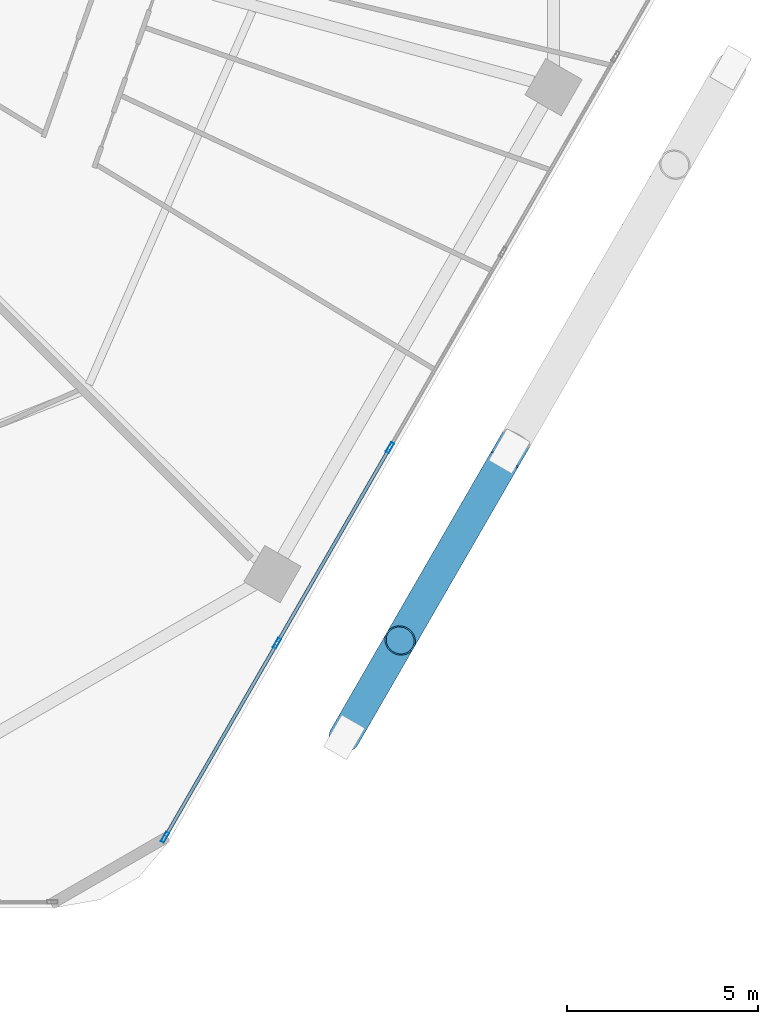
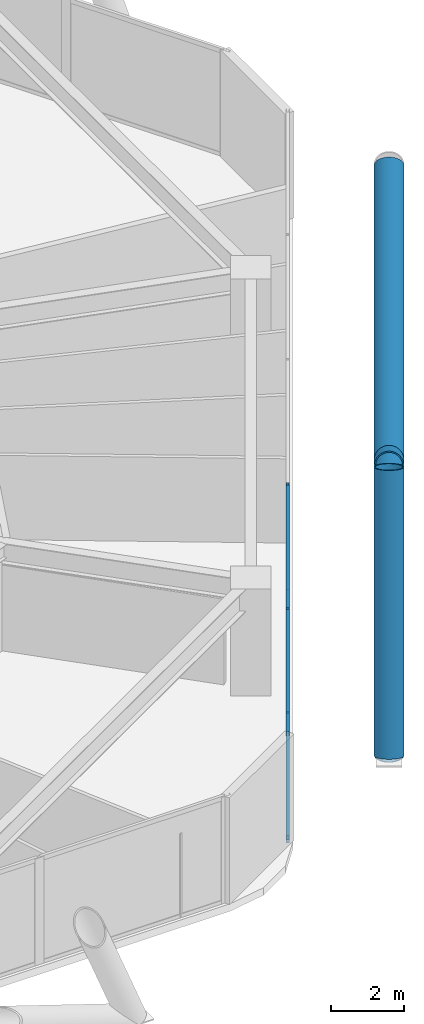
# One storey, part 9 of 35: 10 members, 1 element without a shape of its own.
"""IFC4 building model written with IfcOpenShell, lengths in metres."""

from ifc_helpers import new_model, si_unit, direction, frame, origin, origin_2d, place, context, subcontext, project, spatial, hollow_rectangle, hollow_circle, extrude, material, material_profile, profile_set, type_object, element, aggregate, save


model = new_model("IFC4")

# Units and contexts
model_context = context("Model", 3, precision=1e-05, world=origin(), true_north=direction((0.0, 1.0)))
body_context = subcontext(model_context, "Body", "Model", "MODEL_VIEW")
ifc_project = project(units=[si_unit("LENGTHUNIT", "METRE"), si_unit("AREAUNIT", "SQUARE_METRE"), si_unit("VOLUMEUNIT", "CUBIC_METRE"), si_unit("PLANEANGLEUNIT", "RADIAN"), si_unit("MASSUNIT", "GRAM", prefix="KILO")], contexts=[model_context])

# Site, building, storey
site_placement = place(None, origin())
site = spatial("IfcSite", under=ifc_project, at=site_placement, CompositionType="ELEMENT")
building_placement = place(site_placement, origin())
building = spatial("IfcBuilding", under=site, at=building_placement, Name="Zuhravey Tower", CompositionType="ELEMENT")
storey_placement = place(building_placement, frame((0.0, 0.0, 122.800048828125)))
storey = spatial("IfcBuildingStorey", under=building, at=storey_placement, Name="L30", CompositionType="ELEMENT", Elevation=122.800048828125)

# Curtain wall, members
ifc_material_1 = material(Name="Thermally broken anodised aluminium", Category="aluminium")
curtain_wall_type = type_object("IfcCurtainWallType", Name="Zone 1-2 Residential Curtain Wall CW3", PredefinedType="NOTDEFINED", material=ifc_material_1)
curtain_wall_placement = place(storey_placement, origin())
curtain_wall = element("IfcCurtainWall", 1, at=curtain_wall_placement, inside=storey, type_object=curtain_wall_type, Name="L30 CW3 CW-L30-F6-1", PredefinedType="NOTDEFINED")
ifc_material_2 = material(Name="Anodised aluminium", Category="aluminium")
ifc_material_profile_1 = material_profile(ifc_material_2, hollow_rectangle(XDim=0.090087890625, YDim=0.284912109375, WallThickness=0.0048828125, at=origin_2d()), Name="ALU-RHS-90x285x5")
ifc_profile_set_1 = profile_set([ifc_material_profile_1], Name="Anodised aluminium")
member_type_1 = type_object("IfcMemberType", Name="Curtain-Wall Mullion 90x180", PredefinedType="MULLION", material=ifc_profile_set_1)
member_1_placement = place(storey_placement, frame((59.598876953125, 14.95751953125, 0.0), z_axis=(0.0, 0.0, 1.0), x_axis=(0.86602552265, -0.499999794119, 0.0)))
member_1 = element("IfcMember", 2, at=member_1_placement, type_object=member_type_1, Name="CW3 mullion 4", PredefinedType="MULLION", context=body_context, shape_type="SweptSolid", body=[
    extrude(hollow_rectangle(XDim=0.090087890625, YDim=0.284912109375, WallThickness=0.0048828125, at=origin_2d()), origin(), (0.0, 0.0, 1.0), 3.550048828125),
])
member_2_placement = place(storey_placement, frame((56.638916015625, 9.830810546875, 0.0), z_axis=(0.0, 0.0, 1.0), x_axis=(0.86602552265, -0.499999794119, 0.0)))
member_2 = element("IfcMember", 3, at=member_2_placement, type_object=member_type_1, Name="CW3 mullion 5", PredefinedType="MULLION", context=body_context, shape_type="SweptSolid", body=[
    extrude(hollow_rectangle(XDim=0.090087890625, YDim=0.284912109375, WallThickness=0.0048828125, at=origin_2d()), origin(), (0.0, 0.0, 1.0), 3.550048828125),
])
member_3_placement = place(storey_placement, frame((53.701416015625, 4.742919921875, 0.0), z_axis=(0.0, 0.0, 1.0), x_axis=(0.86602552265, -0.499999794119, 0.0)))
member_3 = element("IfcMember", 4, at=member_3_placement, type_object=member_type_1, Name="CW3 mullion 6", PredefinedType="MULLION", context=body_context, shape_type="SweptSolid", body=[
    extrude(hollow_rectangle(XDim=0.090087890625, YDim=0.284912109375, WallThickness=0.0048828125, at=origin_2d()), origin(), (0.0, 0.0, 1.0), 3.550048828125),
])
ifc_material_profile_2 = material_profile(ifc_material_2, hollow_rectangle(XDim=0.090087890625, YDim=0.14990234375, WallThickness=0.0048828125, at=origin_2d()), Name="ALU-RHS-90x150x5")
ifc_profile_set_2 = profile_set([ifc_material_profile_2], Name="Anodised aluminium")
member_type_2 = type_object("IfcMemberType", Name="Curtain-Wall Transom 90x150", PredefinedType="USERDEFINED", material=ifc_profile_set_2)
member_4_placement = place(storey_placement, frame((59.576416015625, 14.91845703125, 0.044921875), z_axis=(-0.500012451049, -0.866018215049, 0.0), x_axis=(0.866018215049, -0.500012451049, 0.0)))
member_4 = element("IfcMember", 5, at=member_4_placement, type_object=member_type_2, Name="CW3 transom 4.1", ObjectType="TRANSOM", PredefinedType="USERDEFINED", context=body_context, shape_type="SweptSolid", body=[
    extrude(hollow_rectangle(XDim=0.090087890625, YDim=0.14990234375, WallThickness=0.0048828125, at=origin_2d()), origin(), (0.0, 0.0, 1.0), 5.829833984375),
])
member_5_placement = place(storey_placement, frame((59.576416015625, 14.91845703125, 3.5048828125), z_axis=(-0.500012451049, -0.866018215049, 0.0), x_axis=(0.866018215049, -0.500012451049, 0.0)))
member_5 = element("IfcMember", 6, at=member_5_placement, type_object=member_type_2, Name="CW3 transom 4.2", ObjectType="TRANSOM", PredefinedType="USERDEFINED", context=body_context, shape_type="SweptSolid", body=[
    extrude(hollow_rectangle(XDim=0.090087890625, YDim=0.14990234375, WallThickness=0.0048828125, at=origin_2d()), origin(), (0.0, 0.0, 1.0), 5.829833984375),
])
member_6_placement = place(storey_placement, frame((56.616455078125, 9.791748046875, 0.044921875), z_axis=(-0.499992798144, -0.866029561738, 0.0), x_axis=(0.866029561738, -0.499992798144, 0.0)))
member_6 = element("IfcMember", 7, at=member_6_placement, type_object=member_type_2, Name="CW3 transom 5.1", ObjectType="TRANSOM", PredefinedType="USERDEFINED", context=body_context, shape_type="SweptSolid", body=[
    extrude(hollow_rectangle(XDim=0.090087890625, YDim=0.14990234375, WallThickness=0.0048828125, at=origin_2d()), origin(), (0.0, 0.0, 1.0), 5.78466796875),
])
member_7_placement = place(storey_placement, frame((56.616455078125, 9.791748046875, 3.5048828125), z_axis=(-0.499992798144, -0.866029561738, 0.0), x_axis=(0.866029561738, -0.499992798144, 0.0)))
member_7 = element("IfcMember", 8, at=member_7_placement, type_object=member_type_2, Name="CW3 transom 5.2", ObjectType="TRANSOM", PredefinedType="USERDEFINED", context=body_context, shape_type="SweptSolid", body=[
    extrude(hollow_rectangle(XDim=0.090087890625, YDim=0.14990234375, WallThickness=0.0048828125, at=origin_2d()), origin(), (0.0, 0.0, 1.0), 5.78466796875),
])
aggregate(curtain_wall, [member_1, member_2, member_3, member_4, member_5, member_6, member_7])

# Members
ifc_material_3 = material(Name="Steel SM460", Category="steel")
ifc_material_profile_3 = material_profile(ifc_material_3, hollow_circle(Radius=0.406494140625, WallThickness=0.035888671875, at=origin_2d()), Name="CHS-812.8x36")
ifc_profile_set_3 = profile_set([ifc_material_profile_3], Name="Steel SM460")
member_type_3 = type_object("IfcMemberType", Name="Exoskeleton Zone 1 Diagrid CHS813x36", PredefinedType="BRACE", material=ifc_profile_set_3)
member_8_placement = place(storey_placement, frame((58.40478515625, 7.369384765625, -0.442138671875), z_axis=(0.180569214941, 0.312719486379, 0.932524145239), x_axis=(-0.866000778371, 0.500042650041, 0.0)))
element("IfcMember", 9, at=member_8_placement, inside=storey, type_object=member_type_3, Name="L30 Face 6 Diagrid Brace 1", PredefinedType="BRACE", context=body_context, shape_type="SweptSolid", body=[
    extrude(hollow_circle(Radius=0.406494140625, WallThickness=0.035888671875, at=origin_2d()), origin(), (0.0, 0.0, 1.0), 8.102783203125),
])
member_9_placement = place(storey_placement, frame((58.42578125, 7.405517578125, -0.442138671875), z_axis=(0.457897185127, 0.793115763737, 0.401618666355), x_axis=(-0.866029382339, 0.499993108878, 0.0)))
element("IfcMember", 10, at=member_9_placement, inside=storey, type_object=member_type_3, Name="L30 Face 6 Diagrid Brace 2", PredefinedType="BRACE", context=body_context, shape_type="SweptSolid", body=[
    extrude(hollow_circle(Radius=0.406494140625, WallThickness=0.035888671875, at=origin_2d()), origin(), (0.0, 0.0, 1.0), 18.814208984375),
])
member_10_placement = place(storey_placement, frame((62.568115234375, 14.580322265625, 3.55517578125), z_axis=(-0.416504317817, -0.72143614827, 0.553221508267), x_axis=(0.866034259299, -0.499984661485, 0.0)))
element("IfcMember", 11, at=member_10_placement, inside=storey, type_object=member_type_3, Name="L30 Face 6 Split Diagrid Brace 3B", PredefinedType="BRACE", context=body_context, shape_type="SweptSolid", body=[
    extrude(hollow_circle(Radius=0.406494140625, WallThickness=0.035888671875, at=origin_2d()), origin(), (0.0, 0.0, 1.0), 6.41796875),
])

save(model, "model.ifc")
